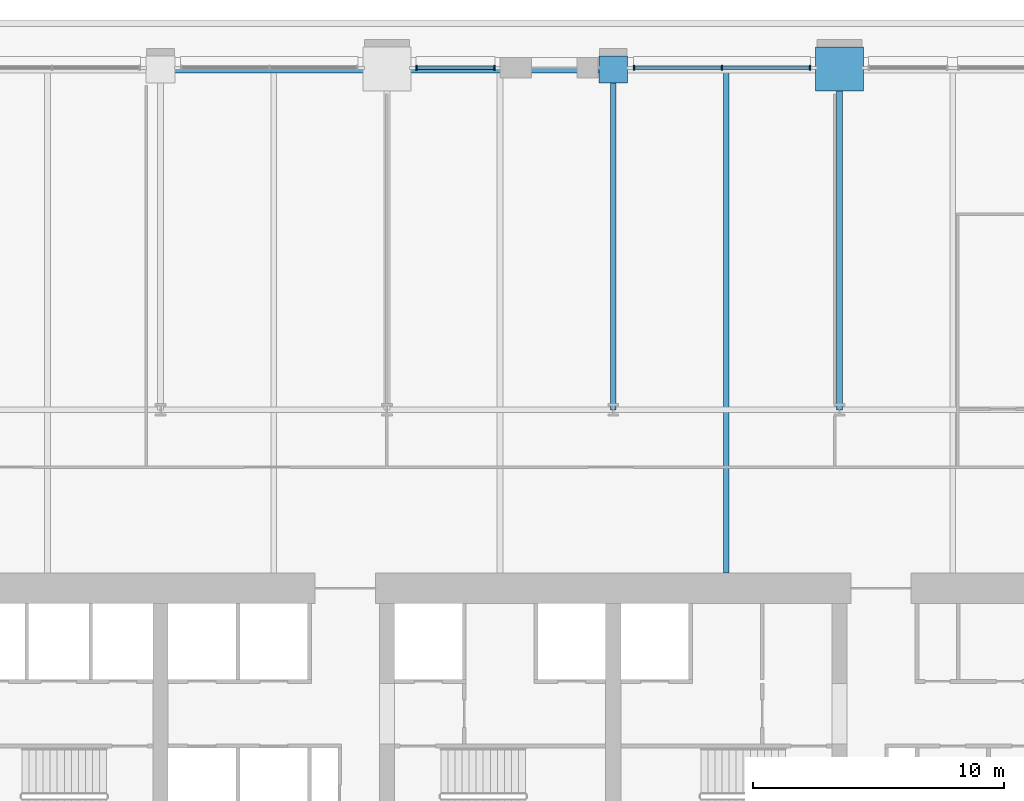
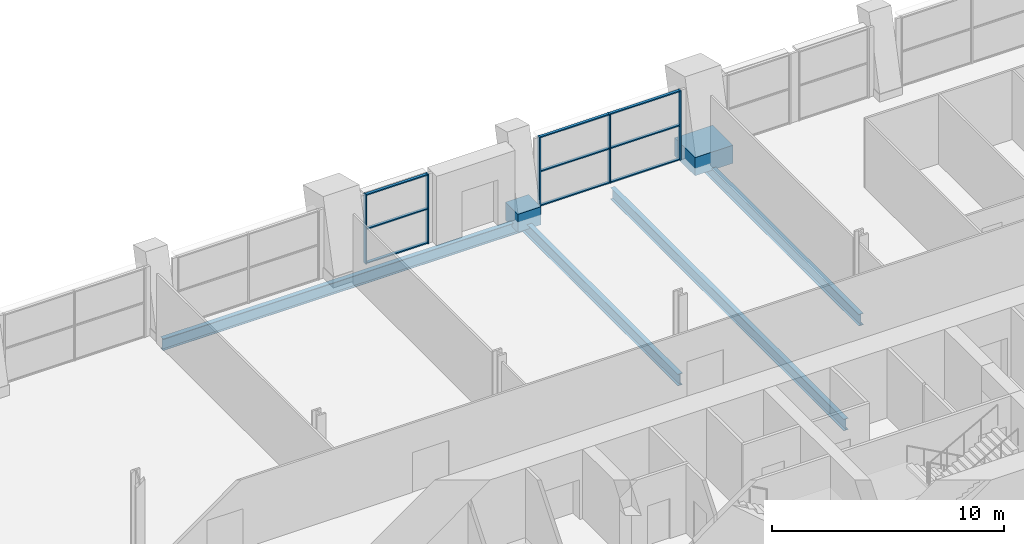
# One storey, part 9 of 26: 14 members, 6 beams, 2 elements without a shape of their own.
"""IFC4 building model written with IfcOpenShell, lengths in metres."""

from ifc_helpers import new_model, si_unit, direction, frame, origin, origin_2d, place, context, subcontext, project, spatial, rectangle, i_section, extrude, material, material_profile, profile_set, type_object, element, aggregate, save


model = new_model("IFC4")

# Units and contexts
model_context = context("Model", 3, precision=1e-05, world=origin(), true_north=direction((0.0, 1.0)))
body_context = subcontext(model_context, "Body", "Model", "MODEL_VIEW")
ifc_project = project(units=[si_unit("LENGTHUNIT", "METRE"), si_unit("AREAUNIT", "SQUARE_METRE"), si_unit("VOLUMEUNIT", "CUBIC_METRE"), si_unit("PLANEANGLEUNIT", "RADIAN"), si_unit("MASSUNIT", "GRAM", prefix="KILO")], contexts=[model_context])

# Site, building, storey
site_placement = place(None, origin())
site = spatial("IfcSite", under=ifc_project, at=site_placement, CompositionType="ELEMENT")
building_placement = place(site_placement, origin())
building = spatial("IfcBuilding", under=site, at=building_placement, Name="Zellij Exchange Tower", CompositionType="ELEMENT")
storey_placement = place(building_placement, frame((0.0, 0.0, 100.5)))
storey = spatial("IfcBuildingStorey", under=building, at=storey_placement, Name="L21", CompositionType="ELEMENT", Elevation=100.5)

# Curtain wall, members
ifc_material_1 = material(Name="Aluminium frame, clear insulating glass", Category="aluminium")
curtain_wall_type = type_object("IfcCurtainWallType", Name="ENV-CW6 Sky-lobby glazing", PredefinedType="NOTDEFINED", material=ifc_material_1)
curtain_wall_1_placement = place(storey_placement, origin())
curtain_wall_1 = element("IfcCurtainWall", 1, at=curtain_wall_1_placement, inside=storey, type_object=curtain_wall_type, Name="cw.L21.14e", PredefinedType="NOTDEFINED")
ifc_material_2 = material(Name="Aluminium", Category="aluminium")
ifc_material_profile_1 = material_profile(ifc_material_2, rectangle(XDim=0.06005859375, YDim=0.199951171875, at=origin_2d()), Name="AL 60x200")
ifc_profile_set_1 = profile_set([ifc_material_profile_1], Name="Aluminium")
member_type_1 = type_object("IfcMemberType", Name="ENV-CW6M Mullion 60x200", PredefinedType="MULLION", material=ifc_profile_set_1)
member_1_placement = place(storey_placement, frame((7.820068359375, 18.10009765625, 0.0), z_axis=(0.0, 0.0, 1.0), x_axis=(-1.0, 0.0, 0.0)))
member_1 = element("IfcMember", 2, at=member_1_placement, type_object=member_type_1, Name="CW6 mullion 1", PredefinedType="MULLION", context=body_context, shape_type="SweptSolid", body=[
    extrude(rectangle(XDim=0.06005859375, YDim=0.199951171875, at=origin_2d()), origin(), (0.0, 0.0, 1.0), 3.64990234375),
])
member_2_placement = place(storey_placement, frame((4.324951171875, 18.10009765625, 0.0), z_axis=(0.0, 0.0, 1.0), x_axis=(-1.0, 0.0, 0.0)))
member_2 = element("IfcMember", 3, at=member_2_placement, type_object=member_type_1, Name="CW6 mullion 2", PredefinedType="MULLION", context=body_context, shape_type="SweptSolid", body=[
    extrude(rectangle(XDim=0.06005859375, YDim=0.199951171875, at=origin_2d()), origin(), (0.0, 0.0, 1.0), 3.64990234375),
])
member_3_placement = place(storey_placement, frame((0.830078125, 18.10009765625, 0.0), z_axis=(0.0, 0.0, 1.0), x_axis=(-1.0, 0.0, 0.0)))
member_3 = element("IfcMember", 4, at=member_3_placement, type_object=member_type_1, Name="CW6 mullion 3", PredefinedType="MULLION", context=body_context, shape_type="SweptSolid", body=[
    extrude(rectangle(XDim=0.06005859375, YDim=0.199951171875, at=origin_2d()), origin(), (0.0, 0.0, 1.0), 3.64990234375),
])

curtain_wall_2_placement = place(storey_placement, origin())
curtain_wall_2 = element("IfcCurtainWall", 5, at=curtain_wall_2_placement, inside=storey, type_object=curtain_wall_type, Name="cw.L21.14g", PredefinedType="NOTDEFINED")
member_4_placement = place(storey_placement, frame((-4.72998046875, 18.10009765625, 0.0), z_axis=(0.0, 0.0, 1.0), x_axis=(-1.0, 0.0, 0.0)))
member_4 = element("IfcMember", 6, at=member_4_placement, type_object=member_type_1, Name="CW6 mullion 1", PredefinedType="MULLION", context=body_context, shape_type="SweptSolid", body=[
    extrude(rectangle(XDim=0.06005859375, YDim=0.199951171875, at=origin_2d()), origin(), (0.0, 0.0, 1.0), 3.64990234375),
])
member_5_placement = place(storey_placement, frame((-7.820068359375, 18.10009765625, 0.0), z_axis=(0.0, 0.0, 1.0), x_axis=(-1.0, 0.0, 0.0)))
member_5 = element("IfcMember", 7, at=member_5_placement, type_object=member_type_1, Name="CW6 mullion 2", PredefinedType="MULLION", context=body_context, shape_type="SweptSolid", body=[
    extrude(rectangle(XDim=0.06005859375, YDim=0.199951171875, at=origin_2d()), origin(), (0.0, 0.0, 1.0), 3.64990234375),
])

# Member
ifc_material_profile_2 = material_profile(ifc_material_2, rectangle(XDim=0.139892578125, YDim=0.06005859375, at=origin_2d()), Name="AL 140x60")
ifc_profile_set_2 = profile_set([ifc_material_profile_2], Name="Aluminium")
member_type_2 = type_object("IfcMemberType", Name="ENV-CW6T Transom 140x60", PredefinedType="USERDEFINED", material=ifc_profile_set_2)
member_6_placement = place(storey_placement, frame((7.7900390625, 18.10009765625, 0.030029296875), z_axis=(-1.0, 0.0, 0.0), x_axis=(0.0, -1.0, 0.0)))
member_6 = element("IfcMember", 8, at=member_6_placement, type_object=member_type_2, Name="CW6 transom 1.1", ObjectType="TRANSOM", PredefinedType="USERDEFINED", context=body_context, shape_type="SweptSolid", body=[
    extrude(rectangle(XDim=0.139892578125, YDim=0.06005859375, at=origin_2d()), origin(), (0.0, 0.0, 1.0), 3.43505859375),
])

member_7_placement = place(storey_placement, frame((7.7900390625, 18.10009765625, 1.824951171875), z_axis=(-1.0, 0.0, 0.0), x_axis=(0.0, -1.0, 0.0)))
member_7 = element("IfcMember", 9, at=member_7_placement, type_object=member_type_2, Name="CW6 transom 1.2", ObjectType="TRANSOM", PredefinedType="USERDEFINED", context=body_context, shape_type="SweptSolid", body=[
    extrude(rectangle(XDim=0.139892578125, YDim=0.06005859375, at=origin_2d()), origin(), (0.0, 0.0, 1.0), 3.43505859375),
])

member_8_placement = place(storey_placement, frame((7.7900390625, 18.10009765625, 3.6201171875), z_axis=(-1.0, 0.0, 0.0), x_axis=(0.0, -1.0, 0.0)))
member_8 = element("IfcMember", 10, at=member_8_placement, type_object=member_type_2, Name="CW6 transom 1.3", ObjectType="TRANSOM", PredefinedType="USERDEFINED", context=body_context, shape_type="SweptSolid", body=[
    extrude(rectangle(XDim=0.139892578125, YDim=0.06005859375, at=origin_2d()), origin(), (0.0, 0.0, 1.0), 3.43505859375),
])

member_9_placement = place(storey_placement, frame((4.294921875, 18.10009765625, 0.030029296875), z_axis=(-1.0, 0.0, 0.0), x_axis=(0.0, -1.0, 0.0)))
member_9 = element("IfcMember", 11, at=member_9_placement, type_object=member_type_2, Name="CW6 transom 2.1", ObjectType="TRANSOM", PredefinedType="USERDEFINED", context=body_context, shape_type="SweptSolid", body=[
    extrude(rectangle(XDim=0.139892578125, YDim=0.06005859375, at=origin_2d()), origin(), (0.0, 0.0, 1.0), 3.434814453125),
])

member_10_placement = place(storey_placement, frame((4.294921875, 18.10009765625, 1.824951171875), z_axis=(-1.0, 0.0, 0.0), x_axis=(0.0, -1.0, 0.0)))
member_10 = element("IfcMember", 12, at=member_10_placement, type_object=member_type_2, Name="CW6 transom 2.2", ObjectType="TRANSOM", PredefinedType="USERDEFINED", context=body_context, shape_type="SweptSolid", body=[
    extrude(rectangle(XDim=0.139892578125, YDim=0.06005859375, at=origin_2d()), origin(), (0.0, 0.0, 1.0), 3.434814453125),
])

member_11_placement = place(storey_placement, frame((4.294921875, 18.10009765625, 3.6201171875), z_axis=(-1.0, 0.0, 0.0), x_axis=(0.0, -1.0, 0.0)))
member_11 = element("IfcMember", 13, at=member_11_placement, type_object=member_type_2, Name="CW6 transom 2.3", ObjectType="TRANSOM", PredefinedType="USERDEFINED", context=body_context, shape_type="SweptSolid", body=[
    extrude(rectangle(XDim=0.139892578125, YDim=0.06005859375, at=origin_2d()), origin(), (0.0, 0.0, 1.0), 3.434814453125),
])

aggregate(curtain_wall_1, [member_1, member_2, member_3, member_6, member_7, member_8, member_9, member_10, member_11])

member_12_placement = place(storey_placement, frame((-4.760009765625, 18.10009765625, 0.030029296875), z_axis=(-1.0, 0.0, 0.0), x_axis=(0.0, -1.0, 0.0)))
member_12 = element("IfcMember", 14, at=member_12_placement, type_object=member_type_2, Name="CW6 transom 1.1", ObjectType="TRANSOM", PredefinedType="USERDEFINED", context=body_context, shape_type="SweptSolid", body=[
    extrude(rectangle(XDim=0.139892578125, YDim=0.06005859375, at=origin_2d()), origin(), (0.0, 0.0, 1.0), 3.030029296875),
])

member_13_placement = place(storey_placement, frame((-4.760009765625, 18.10009765625, 1.824951171875), z_axis=(-1.0, 0.0, 0.0), x_axis=(0.0, -1.0, 0.0)))
member_13 = element("IfcMember", 15, at=member_13_placement, type_object=member_type_2, Name="CW6 transom 1.2", ObjectType="TRANSOM", PredefinedType="USERDEFINED", context=body_context, shape_type="SweptSolid", body=[
    extrude(rectangle(XDim=0.139892578125, YDim=0.06005859375, at=origin_2d()), origin(), (0.0, 0.0, 1.0), 3.030029296875),
])

member_14_placement = place(storey_placement, frame((-4.760009765625, 18.10009765625, 3.6201171875), z_axis=(-1.0, 0.0, 0.0), x_axis=(0.0, -1.0, 0.0)))
member_14 = element("IfcMember", 16, at=member_14_placement, type_object=member_type_2, Name="CW6 transom 1.3", ObjectType="TRANSOM", PredefinedType="USERDEFINED", context=body_context, shape_type="SweptSolid", body=[
    extrude(rectangle(XDim=0.139892578125, YDim=0.06005859375, at=origin_2d()), origin(), (0.0, 0.0, 1.0), 3.030029296875),
])

aggregate(curtain_wall_2, [member_4, member_5, member_12, member_13, member_14])

# Beams
ifc_material_3 = material(Name="Structural steel ASTM A992 Gr 50", Category="steel")
ifc_material_profile_3 = material_profile(ifc_material_3, i_section(OverallWidth=0.227783203125, OverallDepth=0.60205078125, WebThickness=0.010498046875, FlangeThickness=0.014892578125, at=origin_2d()), Name="W24x68")
ifc_profile_set_3 = profile_set([ifc_material_profile_3], Name="Structural steel ASTM A992 Gr 50")
beam_type_1 = type_object("IfcBeamType", Name="STR-BEAM W24x68", PredefinedType="BEAM", material=ifc_profile_set_3)
beam_1_placement = place(storey_placement, frame((4.5, -2.0, -0.60107421875), z_axis=(0.0, 1.0, 0.0), x_axis=(-1.0, 0.0, 0.0)))
element("IfcBeam", 17, at=beam_1_placement, inside=storey, type_object=beam_type_1, Name="B5", PredefinedType="BEAM", context=body_context, shape_type="SweptSolid", body=[
    extrude(i_section(OverallWidth=0.227783203125, OverallDepth=0.60205078125, WebThickness=0.010498046875, FlangeThickness=0.014892578125, at=origin_2d()), origin(), (0.0, 0.0, 1.0), 20.114501953125),
])
ifc_material_profile_4 = material_profile(ifc_material_3, i_section(OverallWidth=0.22900390625, OverallDepth=0.612060546875, WebThickness=0.011962890625, FlangeThickness=0.01953125, at=origin_2d()), Name="W24x84")
ifc_profile_set_4 = profile_set([ifc_material_profile_4], Name="Structural steel ASTM A992 Gr 50")
beam_type_2 = type_object("IfcBeamType", Name="STR-GIRDER W24x84", PredefinedType="BEAM", material=ifc_profile_set_4)
beam_2_placement = place(storey_placement, frame((-18.0, 18.0, -0.606201171875), z_axis=(1.0, 0.0, 0.0), x_axis=(0.0, 1.0, 0.0)))
element("IfcBeam", 18, at=beam_2_placement, inside=storey, type_object=beam_type_2, Name="G4", PredefinedType="BEAM", context=body_context, shape_type="SweptSolid", body=[
    extrude(i_section(OverallWidth=0.22900390625, OverallDepth=0.612060546875, WebThickness=0.011962890625, FlangeThickness=0.01953125, at=origin_2d()), origin(), (0.0, 0.0, 1.0), 18.0),
])
for number, where, z_axis, x_axis, name in (
    (19, (0.0, 4.5, -0.606201171875), (0.0, 1.0, 0.0), (-1.0, 0.0, 0.0), "G4"),
    (20, (9.0, 4.5, -0.606201171875), (0.0, 1.0, 0.0), (-1.0, 0.0, 0.0), "G4"),
):
    element("IfcBeam", number, at=place(storey_placement, frame(where, z_axis=z_axis, x_axis=x_axis)), inside=storey, type_object=beam_type_2, Name=name, PredefinedType="BEAM", context=body_context, shape_type="SweptSolid", body=[
        extrude(i_section(OverallWidth=0.22900390625, OverallDepth=0.612060546875, WebThickness=0.011962890625, FlangeThickness=0.01953125, at=origin_2d()), origin(), (0.0, 0.0, 1.0), 13.5),
    ])
ifc_material_4 = material(Name="Concrete C70/85", Category="concrete")
ifc_material_profile_5 = material_profile(ifc_material_4, rectangle(XDim=1.14990234375, YDim=0.949951171875, at=origin_2d()), Name="STR-KNUCKLE BLOCK RC1150x950 C70/85")
ifc_profile_set_5 = profile_set([ifc_material_profile_5], Name="Concrete C70/85")
beam_type_3 = type_object("IfcBeamType", Name="STR-KNUCKLE BLOCK RC1150x950 C70/85", PredefinedType="BEAM", material=ifc_profile_set_5)
beam_3_placement = place(storey_placement, frame((0.0, 17.499755859375, -0.074951171875), z_axis=(0.0, 1.0, 0.0), x_axis=(-1.0, 0.0, 0.0)))
element("IfcBeam", 21, at=beam_3_placement, inside=storey, type_object=beam_type_3, Name="KB5", PredefinedType="BEAM", context=body_context, shape_type="SweptSolid", body=[
    extrude(rectangle(XDim=1.14990234375, YDim=0.949951171875, at=origin_2d()), origin(), (0.0, 0.0, 1.0), 1.067138671875),
])
ifc_material_profile_6 = material_profile(ifc_material_4, rectangle(XDim=1.89990234375, YDim=0.949951171875, at=origin_2d()), Name="STR-KNUCKLE BLOCK RC1900x950 C70/85")
ifc_profile_set_6 = profile_set([ifc_material_profile_6], Name="Concrete C70/85")
beam_type_4 = type_object("IfcBeamType", Name="STR-KNUCKLE BLOCK RC1900x950 C70/85", PredefinedType="BEAM", material=ifc_profile_set_6)
beam_4_placement = place(storey_placement, frame((9.0, 17.181396484375, 0.074951171875), z_axis=(0.0, 1.0, 0.0), x_axis=(-1.0, 0.0, 0.0)))
element("IfcBeam", 22, at=beam_4_placement, inside=storey, type_object=beam_type_4, Name="KB10", PredefinedType="BEAM", context=body_context, shape_type="SweptSolid", body=[
    extrude(rectangle(XDim=1.89990234375, YDim=0.949951171875, at=origin_2d()), origin(), (0.0, 0.0, 1.0), 1.746337890625),
])

save(model, "model.ifc")
